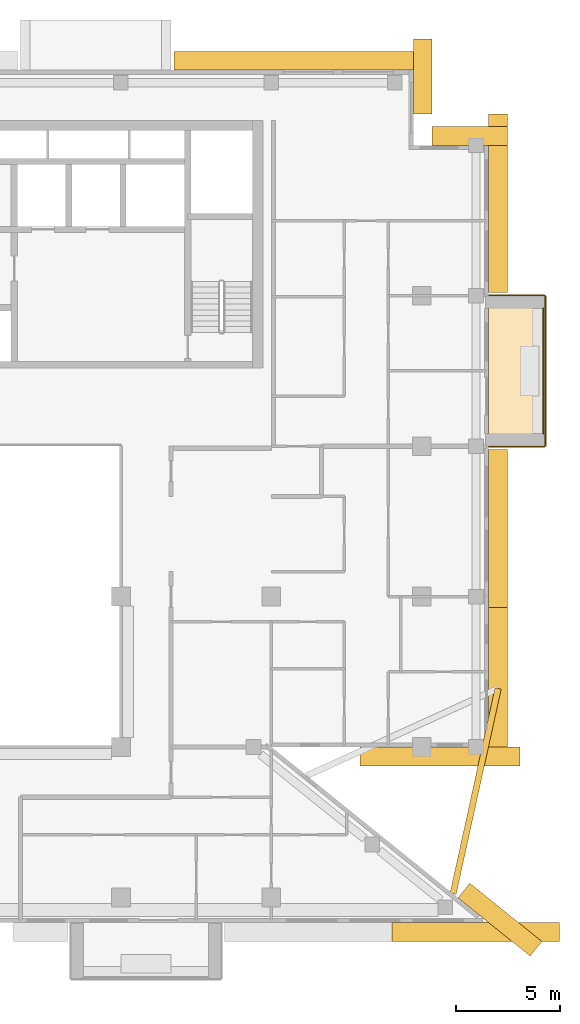
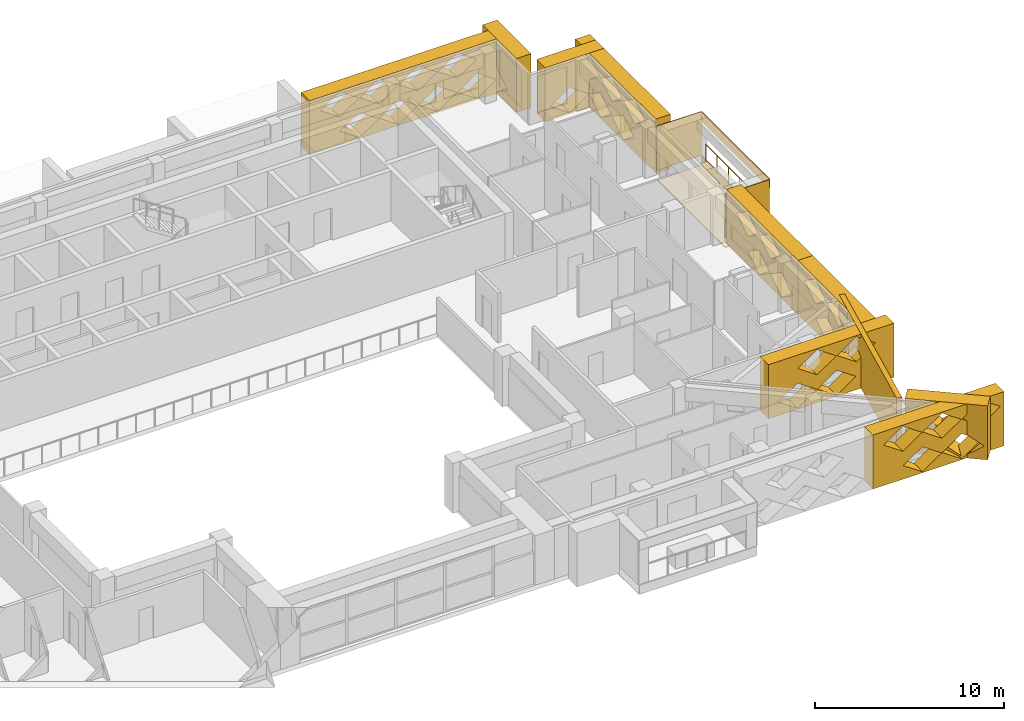
# One storey, part 19 of 19: 15 coverings, 1 railing.
"""IFC4 building model written with IfcOpenShell, lengths in metres."""

from ifc_helpers import new_model, si_unit, direction, frame, origin, origin_2d, place, context, subcontext, project, spatial, polyline, circle, outline, extrude, material, layer, layer_set, type_object, element, save


model = new_model("IFC4")

# Units and contexts
model_context = context("Model", 3, precision=1e-05, world=origin(), true_north=direction((0.0, 1.0)))
body_context = subcontext(model_context, "Body", "Model", "MODEL_VIEW")
ifc_project = project(units=[si_unit("LENGTHUNIT", "METRE"), si_unit("AREAUNIT", "SQUARE_METRE"), si_unit("VOLUMEUNIT", "CUBIC_METRE"), si_unit("PLANEANGLEUNIT", "RADIAN"), si_unit("MASSUNIT", "GRAM", prefix="KILO")], contexts=[model_context])

# Site, building, storey
site_placement = place(None, origin())
site = spatial("IfcSite", under=ifc_project, at=site_placement, CompositionType="ELEMENT")
building_placement = place(site_placement, origin())
building = spatial("IfcBuilding", under=site, at=building_placement, Name="Saffron Iwan Residences", CompositionType="ELEMENT")
storey_placement = place(building_placement, frame((0.0, 0.0, 229.0)))
storey = spatial("IfcBuildingStorey", under=building, at=storey_placement, Name="L61", CompositionType="ELEMENT", Elevation=229.0)

# Railing
ifc_material_1 = material(Name="Stainless steel 316", Category="steel")
railing_type = type_object("IfcRailingType", Name="BALCONY GUARD 1150", PredefinedType="GUARDRAIL", material=ifc_material_1)
railing_placement = place(storey_placement, frame((85.02490234375, 63.0, 0.0)))
element("IfcRailing", 1, at=railing_placement, inside=storey, type_object=railing_type, Name="Balcony guard L61 F2-0", PredefinedType="GUARDRAIL", context=body_context, shape_type="SweptSolid", body=[
    extrude(circle(Radius=0.02392578125, at=origin_2d()), frame((0.0, 0.0, 1.1259765625), z_axis=(0.0, 1.0, 0.0), x_axis=(-1.0, 0.0, 0.0)), (0.0, 0.0, 1.0), 6.0),
    extrude(circle(Radius=0.02099609375, at=origin_2d()), origin(), (0.0, 0.0, 1.0), 1.101806640625),
    extrude(circle(Radius=0.02099609375, at=origin_2d()), frame((0.0, 1.199951171875, 0.0)), (0.0, 0.0, 1.0), 1.101806640625),
    extrude(circle(Radius=0.02099609375, at=origin_2d()), frame((0.0, 2.39990234375, 0.0)), (0.0, 0.0, 1.0), 1.101806640625),
    extrude(circle(Radius=0.02099609375, at=origin_2d()), frame((0.0, 3.60009765625, 0.0)), (0.0, 0.0, 1.0), 1.101806640625),
    extrude(circle(Radius=0.02099609375, at=origin_2d()), frame((0.0, 4.800048828125, 0.0)), (0.0, 0.0, 1.0), 1.101806640625),
    extrude(circle(Radius=0.02099609375, at=origin_2d()), frame((0.0, 6.0, 0.0)), (0.0, 0.0, 1.0), 1.101806640625),
])

# Coverings
ifc_material_2 = material(Name="Precast concrete C40/50 white painted", Category="concrete")
ifc_layer_1 = layer(ifc_material_2, 0.050048828125)
ifc_layer_set_1 = layer_set([ifc_layer_1], Name="Precast concrete C40/50 white painted")
covering_type_1 = type_object("IfcCoveringType", Name="FRAME SKIN PRECAST WHITE 50", PredefinedType="CLADDING", material=ifc_layer_set_1)
for number, where, name in (
    (2, (0.0, 0.0, -0.60009765625), "Frame skin slab edge L61 F2-0"),
    (3, (0.0, 0.0, 2.25), "Frame skin fascia L61 F2-0"),
):
    element("IfcCovering", number, at=place(storey_placement, frame(where)), inside=storey, type_object=covering_type_1, Name=name, PredefinedType="CLADDING", context=body_context, shape_type="SweptSolid", body=[
        extrude(outline(polyline([(85.14990234375, 62.39990234375), (85.14990234375, 69.60009765625), (85.10009765625, 69.60009765625), (85.10009765625, 62.39990234375), (85.14990234375, 62.39990234375)])), origin(), (0.0, 0.0, 1.0), 0.60009765625),
    ])
covering_1_placement = place(storey_placement, frame((0.0, 0.0, -0.64990234375)))
element("IfcCovering", 4, at=covering_1_placement, inside=storey, type_object=covering_type_1, Name="Frame skin soffit L61 F2-0", PredefinedType="CLADDING", context=body_context, shape_type="SweptSolid", body=[
    extrude(outline(polyline([(85.10009765625, 62.39990234375), (85.10009765625, 69.60009765625), (82.39990234375, 69.60009765625), (82.39990234375, 62.39990234375), (85.10009765625, 62.39990234375)])), origin(), (0.0, 0.0, 1.0), 0.0498046875),
])
covering_2_placement = place(storey_placement, origin())
element("IfcCovering", 5, at=covering_2_placement, inside=storey, type_object=covering_type_1, Name="Frame skin fin L61 F2-0a", PredefinedType="CLADDING", context=body_context, shape_type="SweptSolid", body=[
    extrude(outline(polyline([(85.10009765625, 62.35009765625), (85.10009765625, 62.39990234375), (82.39990234375, 62.39990234375), (82.39990234375, 62.35009765625), (85.10009765625, 62.35009765625)])), origin(), (0.0, 0.0, 1.0), 2.85009765625),
])
covering_3_placement = place(storey_placement, origin())
element("IfcCovering", 6, at=covering_3_placement, inside=storey, type_object=covering_type_1, Name="Frame skin fin L61 F2-0b", PredefinedType="CLADDING", context=body_context, shape_type="SweptSolid", body=[
    extrude(outline(polyline([(85.10009765625, 69.60009765625), (85.10009765625, 69.64990234375), (82.39990234375, 69.64990234375), (82.39990234375, 69.60009765625), (85.10009765625, 69.60009765625)])), origin(), (0.0, 0.0, 1.0), 2.85009765625),
])
ifc_material_3 = material(Name="Precast concrete C40/50", Category="concrete")
covering_type_2 = type_object("IfcCoveringType", Name="OUTER SKIN LATTICE SCREEN", PredefinedType="CLADDING", material=ifc_material_3)
covering_4_placement = place(storey_placement, frame((84.387939453125, 37.994384765625, -0.280029296875), z_axis=(0.628558089533, 0.777762642509, 0.0), x_axis=(-0.777762642509, 0.628558089533, 0.0)))
element("IfcCovering", 7, at=covering_4_placement, inside=storey, type_object=covering_type_2, Name="OUTER SKIN lattice screen L61 F0.0", PredefinedType="CLADDING", context=body_context, shape_type="SweptSolid", body=[
    extrude(outline(polyline([(0.0, 0.0), (4.439697265625, 0.0), (4.439697265625, 3.5), (0.0, 3.5), (0.0, 0.0)]), holes=[polyline([(0.175537109375, 0.875), (1.35546875, 0.06005859375), (2.535400390625, 0.875), (1.35546875, 1.68994140625), (0.175537109375, 0.875)]), polyline([(1.37548828125, 2.625), (2.555419921875, 1.81005859375), (3.735595703125, 2.625), (2.555419921875, 3.43994140625), (1.37548828125, 2.625)])]), origin(), (0.0, 0.0, 1.0), 0.89990234375),
])
covering_5_placement = place(storey_placement, frame((76.235595703125, 48.0, -0.280029296875), z_axis=(0.0, -1.0, 0.0), x_axis=(1.0, 0.0, 0.0)))
element("IfcCovering", 8, at=covering_5_placement, inside=storey, type_object=covering_type_2, Name="OUTER SKIN lattice screen L61 F1.0", PredefinedType="CLADDING", context=body_context, shape_type="SweptSolid", body=[
    extrude(outline(polyline([(0.0, 0.0), (7.66455078125, 0.0), (7.66455078125, 3.5), (0.0, 3.5), (0.0, 0.0)]), holes=[polyline([(0.58447265625, 0.875), (1.764404296875, 0.06005859375), (2.944580078125, 0.875), (1.764404296875, 1.68994140625), (0.58447265625, 0.875)]), polyline([(2.984619140625, 0.875), (4.16455078125, 0.06005859375), (5.344482421875, 0.875), (4.16455078125, 1.68994140625), (2.984619140625, 0.875)]), polyline([(1.784423828125, 2.625), (2.964599609375, 1.81005859375), (4.14453125, 2.625), (2.964599609375, 3.43994140625), (1.784423828125, 2.625)]), polyline([(4.1845703125, 2.625), (5.364501953125, 1.81005859375), (6.54443359375, 2.625), (5.364501953125, 3.43994140625), (4.1845703125, 2.625)])]), origin(), (0.0, 0.0, 1.0), 0.89990234375),
])
covering_6_placement = place(storey_placement, frame((82.39990234375, 47.10009765625, -0.280029296875), z_axis=(1.0, 0.0, 0.0), x_axis=(0.0, 1.0, 0.0)))
element("IfcCovering", 9, at=covering_6_placement, inside=storey, type_object=covering_type_2, Name="OUTER SKIN lattice screen L61 F2.0", PredefinedType="CLADDING", context=body_context, shape_type="SweptSolid", body=[
    extrude(outline(polyline([(0.0, 0.0), (7.574951171875, 0.0), (7.574951171875, 3.5), (0.0, 3.5), (0.0, 0.0)]), holes=[polyline([(0.919921875, 0.875), (2.10009765625, 0.06005859375), (3.280029296875, 0.875), (2.10009765625, 1.68994140625), (0.919921875, 0.875)]), polyline([(3.320068359375, 0.875), (4.5, 0.06005859375), (5.679931640625, 0.875), (4.5, 1.68994140625), (3.320068359375, 0.875)]), polyline([(2.1201171875, 2.625), (3.300048828125, 1.81005859375), (4.47998046875, 2.625), (3.300048828125, 3.43994140625), (2.1201171875, 2.625)]), polyline([(4.52001953125, 2.625), (5.699951171875, 1.81005859375), (6.8798828125, 2.625), (5.699951171875, 3.43994140625), (4.52001953125, 2.625)])]), origin(), (0.0, 0.0, 1.0), 0.900146484375),
])
covering_7_placement = place(storey_placement, frame((82.39990234375, 54.675048828125, -0.280029296875), z_axis=(1.0, 0.0, 0.0), x_axis=(0.0, 1.0, 0.0)))
element("IfcCovering", 10, at=covering_7_placement, inside=storey, type_object=covering_type_2, Name="OUTER SKIN lattice screen L61 F2.1", PredefinedType="CLADDING", context=body_context, shape_type="SweptSolid", body=[
    extrude(outline(polyline([(0.0, 0.0), (7.574951171875, 0.0), (7.574951171875, 3.5), (0.0, 3.5), (0.0, 0.0)]), holes=[polyline([(0.544921875, 0.875), (1.72509765625, 0.06005859375), (2.905029296875, 0.875), (1.72509765625, 1.68994140625), (0.544921875, 0.875)]), polyline([(2.945068359375, 0.875), (4.125, 0.06005859375), (5.304931640625, 0.875), (4.125, 1.68994140625), (2.945068359375, 0.875)]), polyline([(1.7451171875, 2.625), (2.925048828125, 1.81005859375), (4.10498046875, 2.625), (2.925048828125, 3.43994140625), (1.7451171875, 2.625)]), polyline([(4.14501953125, 2.625), (5.324951171875, 1.81005859375), (6.5048828125, 2.625), (5.324951171875, 3.43994140625), (4.14501953125, 2.625)])]), origin(), (0.0, 0.0, 1.0), 0.900146484375),
])
covering_8_placement = place(storey_placement, frame((82.39990234375, 69.75, -0.280029296875), z_axis=(1.0, 0.0, 0.0), x_axis=(0.0, 1.0, 0.0)))
element("IfcCovering", 11, at=covering_8_placement, inside=storey, type_object=covering_type_2, Name="OUTER SKIN lattice screen L61 F2.2", PredefinedType="CLADDING", context=body_context, shape_type="SweptSolid", body=[
    extrude(outline(polyline([(0.0, 0.0), (8.550048828125, 0.0), (8.550048828125, 3.5), (0.0, 3.5), (0.0, 0.0)]), holes=[polyline([(2.27001953125, 0.875), (3.449951171875, 0.06005859375), (4.6298828125, 0.875), (3.449951171875, 1.68994140625), (2.27001953125, 0.875)]), polyline([(4.669921875, 0.875), (5.85009765625, 0.06005859375), (7.030029296875, 0.875), (5.85009765625, 1.68994140625), (4.669921875, 0.875)]), polyline([(1.070068359375, 2.625), (2.25, 1.81005859375), (3.429931640625, 2.625), (2.25, 3.43994140625), (1.070068359375, 2.625)]), polyline([(3.469970703125, 2.625), (4.64990234375, 1.81005859375), (5.830078125, 2.625), (4.64990234375, 3.43994140625), (3.469970703125, 2.625)]), polyline([(5.8701171875, 2.625), (7.050048828125, 1.81005859375), (8.22998046875, 2.625), (7.050048828125, 3.43994140625), (5.8701171875, 2.625)])]), origin(), (0.0, 0.0, 1.0), 0.900146484375),
])
for number, where, z_axis, x_axis, name in (
    (12, (83.300048828125, 76.800048828125, -0.280029296875), (0.0, 1.0, 0.0), (-1.0, 0.0, 0.0), "OUTER SKIN lattice screen L61 F3.0"),
    (13, (78.800048828125, 78.300048828125, -0.280029296875), (1.0, 0.0, 0.0), (0.0, 1.0, 0.0), "OUTER SKIN lattice screen L61 F4.0"),
):
    element("IfcCovering", number, at=place(storey_placement, frame(where, z_axis=z_axis, x_axis=x_axis)), inside=storey, type_object=covering_type_2, Name=name, PredefinedType="CLADDING", context=body_context, shape_type="SweptSolid", body=[
        extrude(outline(polyline([(0.0, 0.0), (3.60009765625, 0.0), (3.60009765625, 3.5), (0.0, 3.5), (0.0, 0.0)]), holes=[polyline([(0.919921875, 0.875), (2.10009765625, 0.06005859375), (3.280029296875, 0.875), (2.10009765625, 1.68994140625), (0.919921875, 0.875)])]), origin(), (0.0, 0.0, 1.0), 0.89990234375),
    ])
covering_9_placement = place(storey_placement, frame((79.699951171875, 80.39990234375, -0.280029296875), z_axis=(0.0, 1.0, 0.0), x_axis=(-1.0, 0.0, 0.0)))
element("IfcCovering", 14, at=covering_9_placement, inside=storey, type_object=covering_type_2, Name="OUTER SKIN lattice screen L61 F5.0", PredefinedType="CLADDING", context=body_context, shape_type="SweptSolid", body=[
    extrude(outline(polyline([(0.0, 0.0), (12.35009765625, 0.0), (12.35009765625, 3.5), (0.0, 3.5), (0.0, 0.0)]), holes=[polyline([(0.919921875, 0.875), (2.10009765625, 0.06005859375), (3.280029296875, 0.875), (2.10009765625, 1.68994140625), (0.919921875, 0.875)]), polyline([(3.320068359375, 0.875), (4.5, 0.06005859375), (5.679931640625, 0.875), (4.5, 1.68994140625), (3.320068359375, 0.875)]), polyline([(5.719970703125, 0.875), (6.89990234375, 0.06005859375), (8.080078125, 0.875), (6.89990234375, 1.68994140625), (5.719970703125, 0.875)]), polyline([(8.1201171875, 0.875), (9.300048828125, 0.06005859375), (10.47998046875, 0.875), (9.300048828125, 1.68994140625), (8.1201171875, 0.875)]), polyline([(2.1201171875, 2.625), (3.300048828125, 1.81005859375), (4.47998046875, 2.625), (3.300048828125, 3.43994140625), (2.1201171875, 2.625)]), polyline([(4.52001953125, 2.625), (5.699951171875, 1.81005859375), (6.8798828125, 2.625), (5.699951171875, 3.43994140625), (4.52001953125, 2.625)]), polyline([(6.919921875, 2.625), (8.10009765625, 1.81005859375), (9.280029296875, 2.625), (8.10009765625, 3.43994140625), (6.919921875, 2.625)]), polyline([(9.320068359375, 2.625), (10.5, 1.81005859375), (11.679931640625, 2.625), (10.5, 3.43994140625), (9.320068359375, 2.625)])]), origin(), (0.0, 0.0, 1.0), 0.900146484375),
])
covering_10_placement = place(storey_placement, frame((77.772705078125, 39.60009765625, -0.280029296875), z_axis=(0.0, -1.0, 0.0), x_axis=(1.0, 0.0, 0.0)))
element("IfcCovering", 15, at=covering_10_placement, inside=storey, type_object=covering_type_2, Name="OUTER SKIN lattice screen L61 F11.4", PredefinedType="CLADDING", context=body_context, shape_type="SweptSolid", body=[
    extrude(outline(polyline([(0.0, 0.0), (8.022705078125, 0.0), (8.022705078125, 3.5), (0.0, 3.5), (0.0, 0.0)]), holes=[polyline([(1.84716796875, 0.875), (3.027099609375, 0.06005859375), (4.207275390625, 0.875), (3.027099609375, 1.68994140625), (1.84716796875, 0.875)]), polyline([(4.247314453125, 0.875), (5.42724609375, 0.06005859375), (6.607421875, 0.875), (5.42724609375, 1.68994140625), (4.247314453125, 0.875)]), polyline([(0.647216796875, 2.625), (1.8271484375, 1.81005859375), (3.007080078125, 2.625), (1.8271484375, 3.43994140625), (0.647216796875, 2.625)]), polyline([(3.047119140625, 2.625), (4.227294921875, 1.81005859375), (5.4072265625, 2.625), (4.227294921875, 3.43994140625), (3.047119140625, 2.625)]), polyline([(5.447265625, 2.625), (6.627197265625, 1.81005859375), (7.807373046875, 2.625), (6.627197265625, 3.43994140625), (5.447265625, 2.625)])]), origin(), (0.0, 0.0, 1.0), 0.900146484375),
])
ifc_layer_2 = layer(ifc_material_2, 0.300048828125)
ifc_layer_set_2 = layer_set([ifc_layer_2], Name="Precast concrete C40/50 white painted")
covering_type_3 = type_object("IfcCoveringType", Name="PROW NOSE BLADE PRECAST WHITE", PredefinedType="CLADDING", material=ifc_layer_set_2)
covering_11_placement = place(storey_placement, frame((0.0, 0.0, -0.280029296875)))
element("IfcCovering", 16, at=covering_11_placement, inside=storey, type_object=covering_type_3, Name="Prow nose blade L61 a", PredefinedType="CLADDING", context=body_context, shape_type="SweptSolid", body=[
    extrude(outline(polyline([(80.847412109375, 40.9404296875), (83.001708984375, 50.769287109375), (82.70849609375, 50.83349609375), (80.55419921875, 41.004638671875), (80.847412109375, 40.9404296875)])), origin(), (0.0, 0.0, 1.0), 3.5),
])

save(model, "model.ifc")
